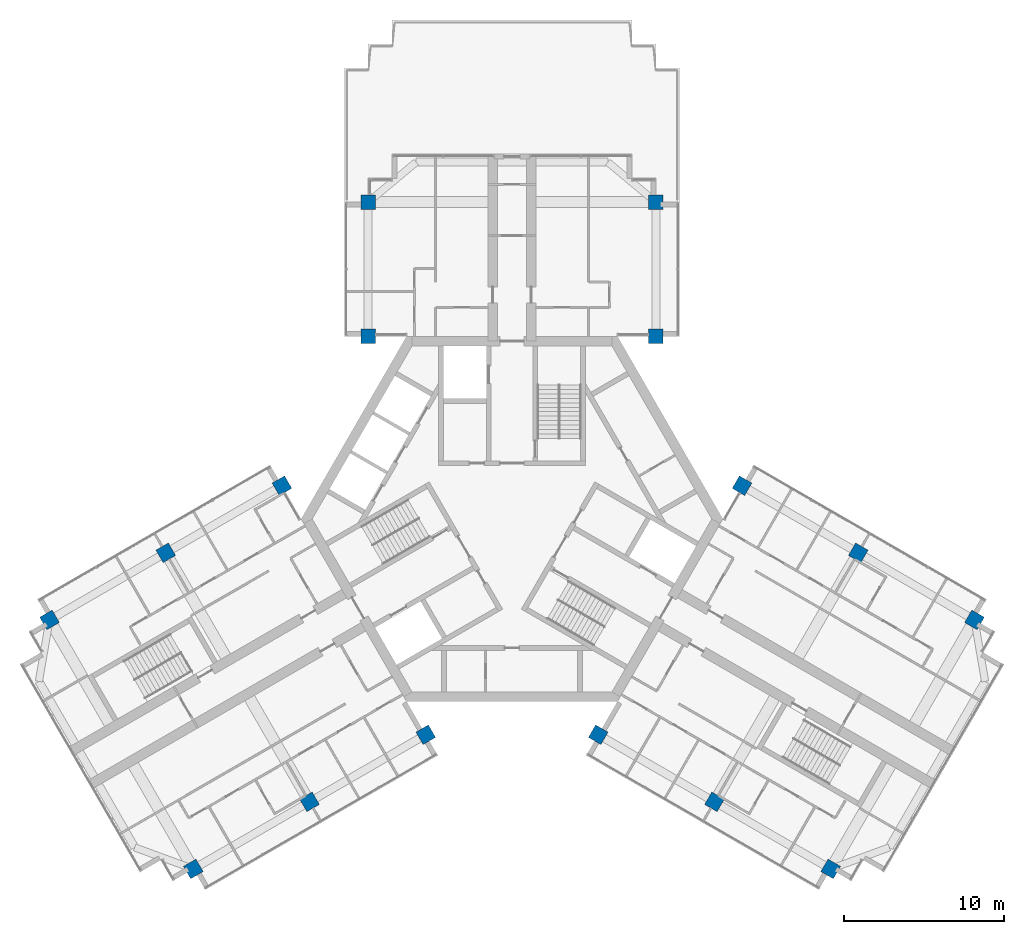
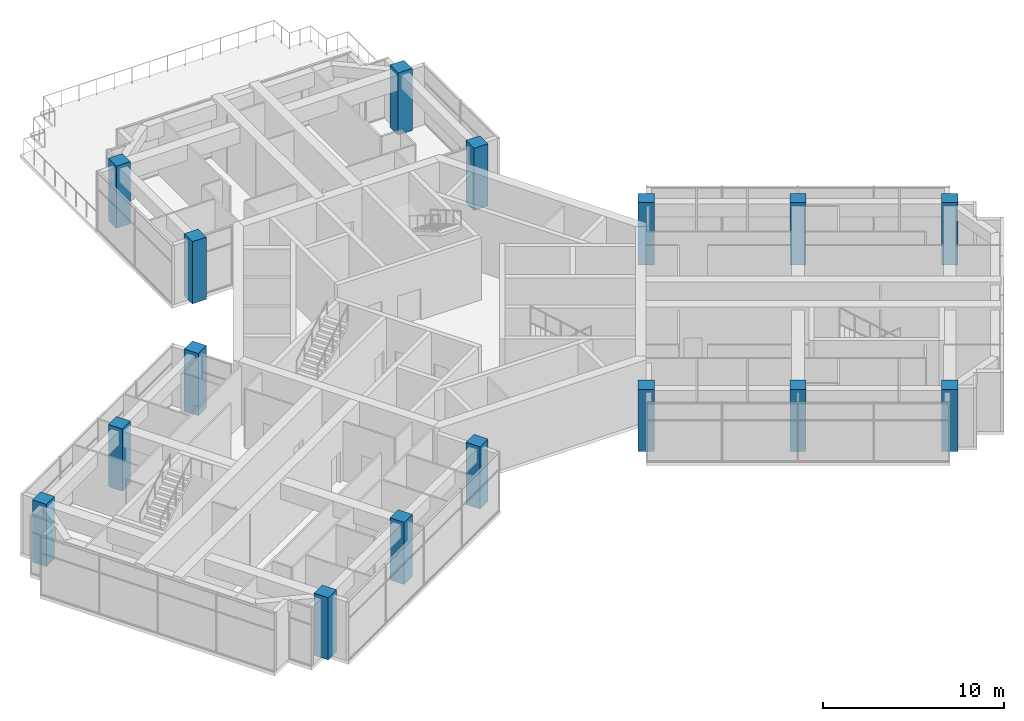
# One storey, part 1 of 15: 16 columns.
"""IFC4 building model written with IfcOpenShell, lengths in metres."""

from ifc_helpers import new_model, si_unit, direction, frame, origin, origin_2d, place, context, subcontext, project, spatial, rectangle, extrude, material, material_profile, profile_set, type_object, element, save


model = new_model("IFC4")

# Units and contexts
model_context = context("Model", 3, precision=1e-05, world=origin(), true_north=direction((0.0, 1.0)))
body_context = subcontext(model_context, "Body", "Model", "MODEL_VIEW")
ifc_project = project(units=[si_unit("LENGTHUNIT", "METRE"), si_unit("AREAUNIT", "SQUARE_METRE"), si_unit("VOLUMEUNIT", "CUBIC_METRE"), si_unit("PLANEANGLEUNIT", "RADIAN"), si_unit("MASSUNIT", "GRAM", prefix="KILO")], contexts=[model_context])

# Site, building, storey
site_placement = place(None, origin())
site = spatial("IfcSite", under=ifc_project, at=site_placement, CompositionType="ELEMENT")
building_placement = place(site_placement, origin())
building = spatial("IfcBuilding", under=site, at=building_placement, Name="Impinga Residences", CompositionType="ELEMENT")
storey_placement = place(building_placement, frame((0.0, 0.0, 274.75)))
storey = spatial("IfcBuildingStorey", under=building, at=storey_placement, Name="L69", CompositionType="ELEMENT", Elevation=274.75)

# Columns
ifc_material = material(Name="Concrete C60/75", Category="concrete")
ifc_material_profile = material_profile(ifc_material, rectangle(XDim=0.89990234375, YDim=0.89990234375, at=origin_2d()), Name="RC 900x900")
ifc_profile_set = profile_set([ifc_material_profile], Name="Concrete C60/75")
column_type = type_object("IfcColumnType", Name="C5 900x900 column", PredefinedType="COLUMN", material=ifc_profile_set)
for number, where, z_axis, x_axis, name in (
    (1, (-9.0, 11.431640625, 0.0), (0.0, 0.0, 1.0), (1.0, 0.0, 0.0), "Column C5 N1/NA L69"),
    (2, (9.0, 11.431640625, 0.0), (0.0, 0.0, 1.0), (1.0, 0.0, 0.0), "Column C5 N1/NF L69"),
    (3, (-9.0, 19.83154296875, 0.0), (0.0, 0.0, 1.0), (1.0, 0.0, 0.0), "Column C5 N2/NA L69"),
    (4, (9.0, 19.83154296875, 0.0), (0.0, 0.0, 1.0), (1.0, 0.0, 0.0), "Column C5 N2/NF L69"),
    (5, (-5.39990234375, -13.510009765625, 0.0), (0.0, 0.0, 1.0), (-0.5, 0.866025403784, 0.0), "Column C5 W1/WA L69"),
    (6, (-14.39990234375, 2.078369140625, 0.0), (0.0, 0.0, 1.0), (-0.5, 0.866025403784, 0.0), "Column C5 W1/WF L69"),
    (7, (-12.674560546875, -17.7099609375, 0.0), (0.0, 0.0, 1.0), (-0.5, 0.866025403784, 0.0), "Column C5 W2/WA L69"),
    (8, (-21.674560546875, -2.12158203125, 0.0), (0.0, 0.0, 1.0), (-0.5, 0.866025403784, 0.0), "Column C5 W2/WF L69"),
    (9, (-19.94921875, -21.909912109375, 0.0), (0.0, 0.0, 1.0), (-0.5, 0.866025403784, 0.0), "Column C5 W3/WA L69"),
    (10, (-28.94921875, -6.321533203125, 0.0), (0.0, 0.0, 1.0), (-0.5, 0.866025403784, 0.0), "Column C5 W3/WF L69"),
    (11, (14.39990234375, 2.078369140625, 0.0), (0.0, 0.0, 1.0), (-0.5, -0.866025403784, 0.0), "Column C5 E1/EA L69"),
    (12, (5.39990234375, -13.510009765625, 0.0), (0.0, 0.0, 1.0), (-0.5, -0.866025403784, 0.0), "Column C5 E1/EF L69"),
    (13, (21.674560546875, -2.12158203125, 0.0), (0.0, 0.0, 1.0), (-0.5, -0.866025403784, 0.0), "Column C5 E2/EA L69"),
    (14, (12.674560546875, -17.7099609375, 0.0), (0.0, 0.0, 1.0), (-0.5, -0.866025403784, 0.0), "Column C5 E2/EF L69"),
    (15, (28.94921875, -6.321533203125, 0.0), (0.0, 0.0, 1.0), (-0.5, -0.866025403784, 0.0), "Column C5 E3/EA L69"),
    (16, (19.94921875, -21.909912109375, 0.0), (0.0, 0.0, 1.0), (-0.5, -0.866025403784, 0.0), "Column C5 E3/EF L69"),
):
    element("IfcColumn", number, at=place(storey_placement, frame(where, z_axis=z_axis, x_axis=x_axis)), inside=storey, type_object=column_type, Name=name, PredefinedType="COLUMN", context=body_context, shape_type="SweptSolid", body=[
        extrude(rectangle(XDim=0.89990234375, YDim=0.89990234375, at=origin_2d()), origin(), (0.0, 0.0, 1.0), 4.199951171875),
    ])

save(model, "model.ifc")
